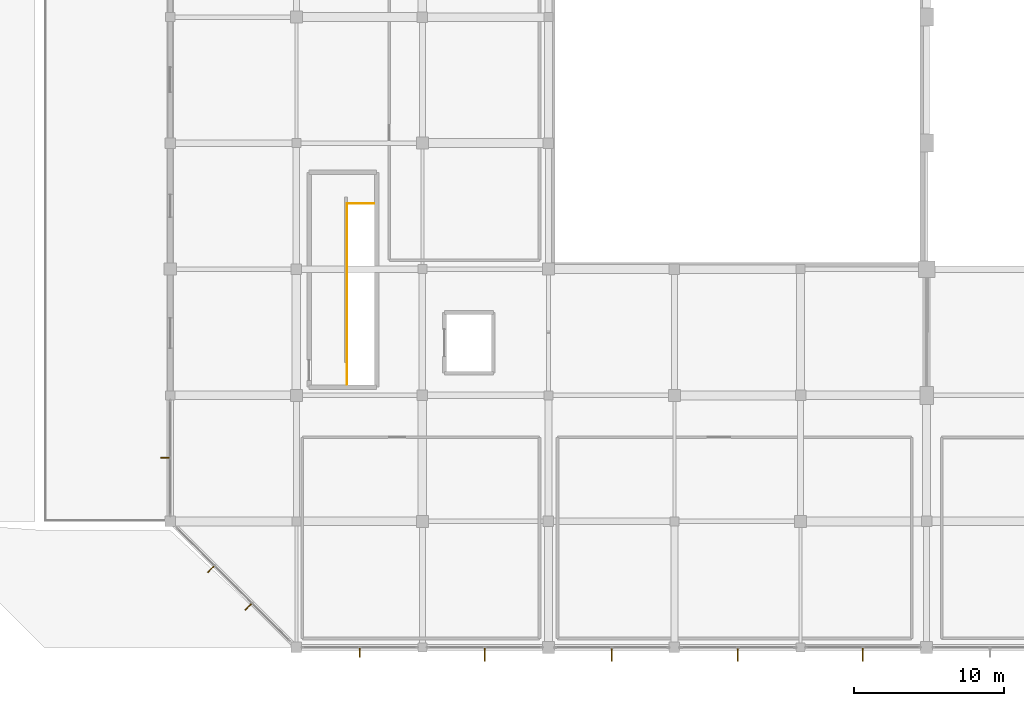
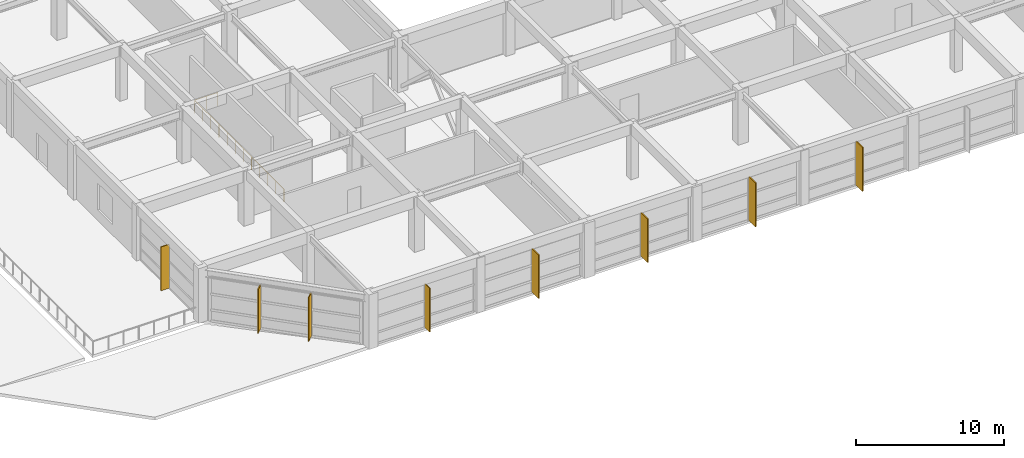
# One storey, part 49 of 56: 8 shading devices, 1 railing.
"""IFC4 building model written with IfcOpenShell, lengths in metres."""

from ifc_helpers import new_model, si_unit, direction, frame, origin, origin_2d, place, context, subcontext, project, spatial, rectangle, circle, extrude, material, type_object, element, save


model = new_model("IFC4")

# Units and contexts
model_context = context("Model", 3, precision=1e-05, world=origin(), true_north=direction((0.0, 1.0)))
body_context = subcontext(model_context, "Body", "Model", "MODEL_VIEW")
ifc_project = project(units=[si_unit("LENGTHUNIT", "METRE"), si_unit("AREAUNIT", "SQUARE_METRE"), si_unit("VOLUMEUNIT", "CUBIC_METRE"), si_unit("PLANEANGLEUNIT", "RADIAN"), si_unit("MASSUNIT", "GRAM", prefix="KILO")], contexts=[model_context])

# Site, building, storey
site_placement = place(None, origin())
site = spatial("IfcSite", under=ifc_project, at=site_placement, CompositionType="ELEMENT")
building_placement = place(site_placement, origin())
building = spatial("IfcBuilding", under=site, at=building_placement, Name="Xuanlan Plaza Opera House", CompositionType="ELEMENT")
storey_placement = place(building_placement, frame((0.0, 0.0, 18.89990234375)))
storey = spatial("IfcBuildingStorey", under=building, at=storey_placement, Name="L04", CompositionType="ELEMENT", Elevation=18.89990234375)

# Shading devices
ifc_material_1 = material(Name="Anodised Aluminium 6063-T6", Category="aluminium")
shading_device_type_1 = type_object("IfcShadingDeviceType", Name="ENV-SHD-BRS01", PredefinedType="JALOUSIE", material=ifc_material_1)
for number, where, z_axis, x_axis, name in (
    (1, (29.425048828125, 16.47509765625, 0.0400390625), (0.0, 0.0, 1.0), (0.0, -1.0, 0.0), "Parametric Sunshade Fin L04-0197"),
    (2, (16.47509765625, 29.425048828125, 0.0400390625), (0.0, 0.0, 1.0), (-1.0, 0.0, 0.0), "Parametric Sunshade Fin L04-0241"),
    (3, (19.52001953125, 22.0205078125, 0.0400390625), (0.0, 0.0, 1.0), (-0.707106781187, -0.707106781187, 0.0), "Parametric Sunshade Fin L04-0242"),
    (4, (22.0205078125, 19.52001953125, 0.0400390625), (0.0, 0.0, 1.0), (-0.707106781187, -0.707106781187, 0.0), "Parametric Sunshade Fin L04-0243"),
):
    element("IfcShadingDevice", number, at=place(storey_placement, frame(where, z_axis=z_axis, x_axis=x_axis)), inside=storey, type_object=shading_device_type_1, Name=name, PredefinedType="JALOUSIE", context=body_context, shape_type="SweptSolid", body=[
        extrude(rectangle(XDim=0.639892578125, YDim=0.070068359375, at=origin_2d()), origin(), (0.0, 0.0, 1.0), 3.60009765625),
    ])
shading_device_type_2 = type_object("IfcShadingDeviceType", Name="ENV-SHD-BRS02", PredefinedType="JALOUSIE", material=ifc_material_1)
for number, where, z_axis, x_axis, name in (
    (5, (37.75, 16.3349609375, 0.0400390625), (0.0, 0.0, 1.0), (0.0, -1.0, 0.0), "Parametric Sunshade Fin L04-0198"),
    (6, (46.22509765625, 16.3349609375, 0.0400390625), (0.0, 0.0, 1.0), (0.0, -1.0, 0.0), "Parametric Sunshade Fin L04-0199"),
    (7, (54.625, 16.3349609375, 0.0400390625), (0.0, 0.0, 1.0), (0.0, -1.0, 0.0), "Parametric Sunshade Fin L04-0200"),
    (8, (62.949951171875, 16.3349609375, 0.0400390625), (0.0, 0.0, 1.0), (0.0, -1.0, 0.0), "Parametric Sunshade Fin L04-0201"),
):
    element("IfcShadingDevice", number, at=place(storey_placement, frame(where, z_axis=z_axis, x_axis=x_axis)), inside=storey, type_object=shading_device_type_2, Name=name, PredefinedType="JALOUSIE", context=body_context, shape_type="SweptSolid", body=[
        extrude(rectangle(XDim=0.919921875, YDim=0.080078125, at=origin_2d()), origin(), (0.0, 0.0, 1.0), 3.60009765625),
    ])

# Railing
ifc_material_2 = material(Name="Galvanised Steel Q235B", Category="steel")
railing_type = type_object("IfcRailingType", Name="INT-RL-GR04", PredefinedType="GUARDRAIL", material=ifc_material_2)
railing_placement = place(storey_placement, frame((30.3701171875, 46.375, 0.0)))
element("IfcRailing", 9, at=railing_placement, inside=storey, type_object=railing_type, Name="Top Stairwell Guardrail ST-P1 L04", PredefinedType="GUARDRAIL", context=body_context, shape_type="SweptSolid", body=[
    extrude(circle(Radius=0.02392578125, at=origin_2d()), frame((0.0, 0.0, 1.076171875), z_axis=(-1.0, 0.0, 0.0), x_axis=(0.0, -1.0, 0.0)), (0.0, 0.0, 1.0), 1.800048828125),
    extrude(circle(Radius=0.02392578125, at=origin_2d()), frame((-1.800048828125, 0.0, 1.076171875), z_axis=(0.0, -1.0, 0.0), x_axis=(1.0, 0.0, 0.0)), (0.0, 0.0, 1.0), 12.034912109375),
    extrude(circle(Radius=0.02099609375, at=origin_2d()), origin(), (0.0, 0.0, 1.0), 1.052001953125),
    extrude(circle(Radius=0.02099609375, at=origin_2d()), frame((-0.89990234375, 0.0, 0.0)), (0.0, 0.0, 1.0), 1.052001953125),
    extrude(circle(Radius=0.02099609375, at=origin_2d()), frame((-1.800048828125, 0.0, 0.0)), (0.0, 0.0, 1.0), 1.052001953125),
    extrude(circle(Radius=0.02099609375, at=origin_2d()), frame((-1.800048828125, -1.093994140625, 0.0)), (0.0, 0.0, 1.0), 1.052001953125),
    extrude(circle(Radius=0.02099609375, at=origin_2d()), frame((-1.800048828125, -2.188232421875, 0.0)), (0.0, 0.0, 1.0), 1.052001953125),
    extrude(circle(Radius=0.02099609375, at=origin_2d()), frame((-1.800048828125, -3.2822265625, 0.0)), (0.0, 0.0, 1.0), 1.052001953125),
    extrude(circle(Radius=0.02099609375, at=origin_2d()), frame((-1.800048828125, -4.376220703125, 0.0)), (0.0, 0.0, 1.0), 1.052001953125),
    extrude(circle(Radius=0.02099609375, at=origin_2d()), frame((-1.800048828125, -5.470458984375, 0.0)), (0.0, 0.0, 1.0), 1.052001953125),
    extrude(circle(Radius=0.02099609375, at=origin_2d()), frame((-1.800048828125, -6.564453125, 0.0)), (0.0, 0.0, 1.0), 1.052001953125),
    extrude(circle(Radius=0.02099609375, at=origin_2d()), frame((-1.800048828125, -7.65869140625, 0.0)), (0.0, 0.0, 1.0), 1.052001953125),
    extrude(circle(Radius=0.02099609375, at=origin_2d()), frame((-1.800048828125, -8.752685546875, 0.0)), (0.0, 0.0, 1.0), 1.052001953125),
    extrude(circle(Radius=0.02099609375, at=origin_2d()), frame((-1.800048828125, -9.8466796875, 0.0)), (0.0, 0.0, 1.0), 1.052001953125),
    extrude(circle(Radius=0.02099609375, at=origin_2d()), frame((-1.800048828125, -10.94091796875, 0.0)), (0.0, 0.0, 1.0), 1.052001953125),
    extrude(circle(Radius=0.02099609375, at=origin_2d()), frame((-1.800048828125, -12.034912109375, 0.0)), (0.0, 0.0, 1.0), 1.052001953125),
])

save(model, "model.ifc")
